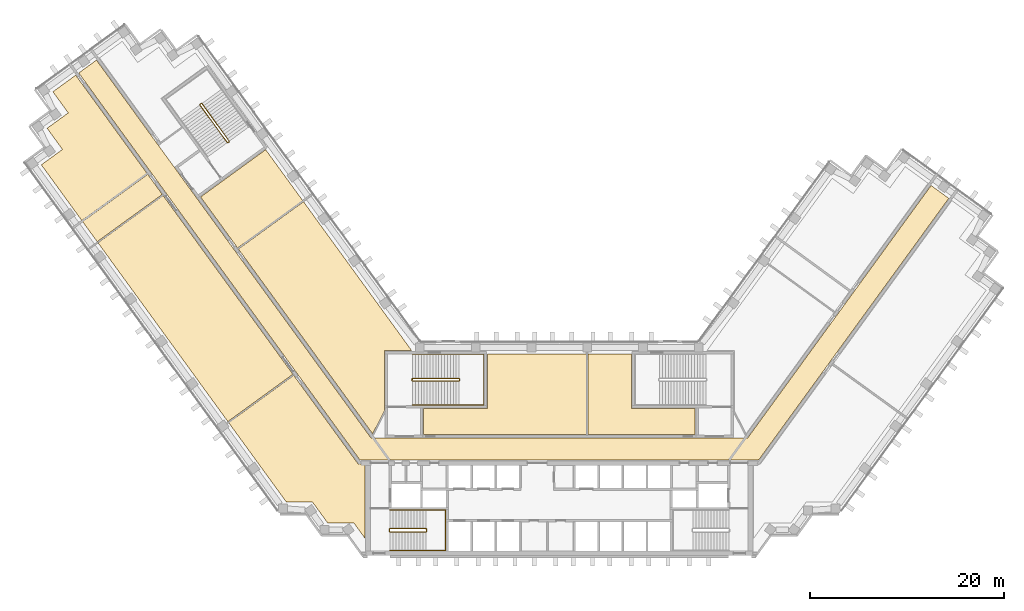
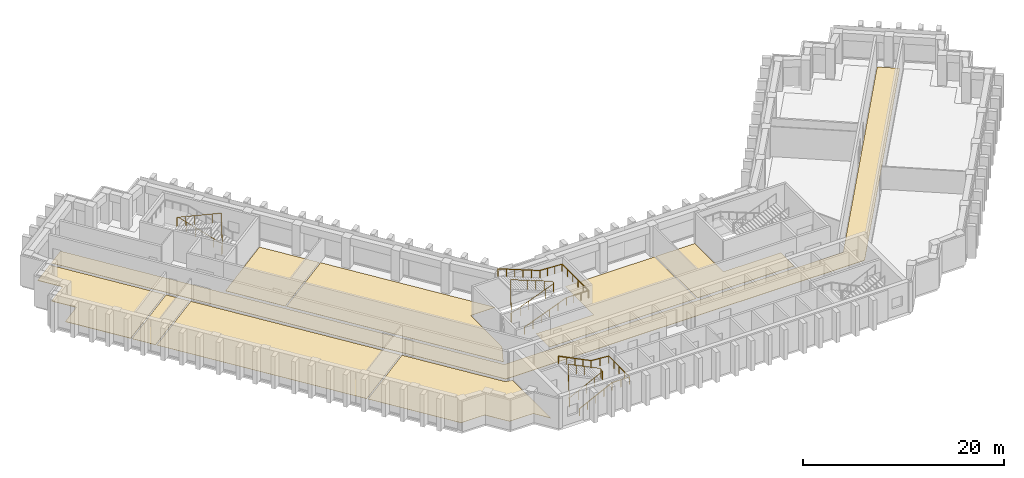
# One storey, part 10 of 11: 9 coverings, 5 railings.
"""IFC4 building model written with IfcOpenShell, lengths in metres."""

from ifc_helpers import new_model, si_unit, direction, frame, origin, origin_2d, place, context, subcontext, project, spatial, polyline, circle, outline, extrude, material, layer, layer_set, type_object, element, save


model = new_model("IFC4")

# Units and contexts
model_context = context("Model", 3, precision=1e-05, world=origin(), true_north=direction((0.0, 1.0)))
body_context = subcontext(model_context, "Body", "Model", "MODEL_VIEW")
ifc_project = project(units=[si_unit("LENGTHUNIT", "METRE"), si_unit("AREAUNIT", "SQUARE_METRE"), si_unit("VOLUMEUNIT", "CUBIC_METRE"), si_unit("PLANEANGLEUNIT", "RADIAN"), si_unit("MASSUNIT", "GRAM", prefix="KILO")], contexts=[model_context])

# Site, building, storey
site_placement = place(None, origin())
site = spatial("IfcSite", under=ifc_project, at=site_placement, CompositionType="ELEMENT")
building_placement = place(site_placement, origin())
building = spatial("IfcBuilding", under=site, at=building_placement, Name="Quipu Civic Tower", CompositionType="ELEMENT")
storey_placement = place(building_placement, frame((0.0, 0.0, 117.0)))
storey = spatial("IfcBuildingStorey", under=building, at=storey_placement, Name="L27", CompositionType="ELEMENT", Elevation=117.0)

# Coverings
ifc_material_1 = material(Name="Carpet tile on raised access floor")
ifc_layer_1 = layer(ifc_material_1, 0.02001953125)
ifc_layer_set_1 = layer_set([ifc_layer_1], Name="Carpet tile on raised access floor")
covering_type_1 = type_object("IfcCoveringType", Name="Carpet tile floor finish 20", PredefinedType="FLOORING", material=ifc_layer_set_1)
covering_1_placement = place(storey_placement, origin())
element("IfcCovering", 1, at=covering_1_placement, inside=storey, type_object=covering_type_1, Name="Carpet tile floor finish 20", PredefinedType="FLOORING", context=body_context, shape_type="SweptSolid", body=[
    extrude(outline(polyline([(-37.0380859375, 26.0380859375), (-30.31494140625, 30.922119140625), (-26.491943359375, 25.658935546875), (-33.215087890625, 20.77490234375), (-37.0380859375, 26.0380859375)])), origin(), (0.0, 0.0, 1.0), 0.02001953125),
])
covering_2_placement = place(storey_placement, origin())
element("IfcCovering", 2, at=covering_2_placement, inside=storey, type_object=covering_type_1, Name="Carpet tile floor finish 20", PredefinedType="FLOORING", context=body_context, shape_type="SweptSolid", body=[
    extrude(outline(polyline([(-34.138916015625, 2.738037109375), (-27.416015625, 7.62109375), (-20.77490234375, -1.51904296875), (-20.070068359375, -1.52001953125), (-20.070068359375, -9.195068359375), (-21.196044921875, -7.64599609375), (-21.6630859375, -7.64599609375), (-21.666015625, -7.64404296875), (-21.669921875, -7.64111328125), (-21.675048828125, -7.639892578125), (-21.679931640625, -7.637939453125), (-21.68408203125, -7.636962890625), (-21.68896484375, -7.636962890625), (-21.694091796875, -7.635986328125), (-21.698974609375, -7.636962890625), (-21.7041015625, -7.637939453125), (-21.708984375, -7.638916015625), (-21.712890625, -7.64111328125), (-21.718017578125, -7.64306640625), (-21.721923828125, -7.64599609375), (-21.721923828125, -7.64599609375), (-23.89501953125, -7.64599609375), (-25.48193359375, -5.4619140625), (-28.181884765625, -5.4609375), (-34.138916015625, 2.738037109375)])), origin(), (0.0, 0.0, 1.0), 0.02001953125),
])
covering_3_placement = place(storey_placement, origin())
element("IfcCovering", 3, at=covering_3_placement, inside=storey, type_object=covering_type_1, Name="Carpet tile floor finish 20", PredefinedType="FLOORING", context=body_context, shape_type="SweptSolid", body=[
    extrude(outline(polyline([(-14.030029296875, 1.52001953125), (-14.030029296875, 4.179931640625), (-7.429931640625, 4.180908203125), (-7.429931640625, 9.830078125), (2.80908203125, 9.830078125), (2.80908203125, 1.52001953125), (-14.030029296875, 1.52001953125)])), origin(), (0.0, 0.0, 1.0), 0.02001953125),
])
covering_4_placement = place(storey_placement, origin())
element("IfcCovering", 4, at=covering_4_placement, inside=storey, type_object=covering_type_1, Name="Carpet tile floor finish 20", PredefinedType="FLOORING", context=body_context, shape_type="SweptSolid", body=[
    extrude(outline(polyline([(-33.132080078125, 20.662109375), (-26.408935546875, 25.5458984375), (-15.238037109375, 10.169921875), (-18.070068359375, 10.1689453125), (-18.070068359375, 3.94189453125), (-19.27197265625, 1.583984375), (-33.132080078125, 20.662109375)])), origin(), (0.0, 0.0, 1.0), 0.02001953125),
])
covering_5_placement = place(storey_placement, origin())
element("IfcCovering", 5, at=covering_5_placement, inside=storey, type_object=covering_type_1, Name="Carpet tile floor finish 20", PredefinedType="FLOORING", context=body_context, shape_type="SweptSolid", body=[
    extrude(outline(polyline([(-47.62890625, 21.304931640625), (-40.905029296875, 26.18798828125), (-27.4990234375, 7.73388671875), (-34.221923828125, 2.85107421875), (-47.62890625, 21.304931640625)])), origin(), (0.0, 0.0, 1.0), 0.02001953125),
])
ifc_material_2 = material(Name="Ceramic floor tile")
ifc_layer_2 = layer(ifc_material_2, 0.030029296875)
ifc_layer_set_2 = layer_set([ifc_layer_2], Name="Ceramic floor tile")
covering_type_2 = type_object("IfcCoveringType", Name="Ceramic tile floor finish 30", PredefinedType="FLOORING", material=ifc_layer_set_2)
covering_6_placement = place(storey_placement, origin())
element("IfcCovering", 6, at=covering_6_placement, inside=storey, type_object=covering_type_2, Name="Ceramic tile floor finish 30", PredefinedType="FLOORING", context=body_context, shape_type="SweptSolid", body=[
    extrude(outline(polyline([(2.948974609375, 1.52001953125), (2.948974609375, 9.830078125), (7.429931640625, 9.830078125), (7.430908203125, 4.179931640625), (14.030029296875, 4.179931640625), (14.030029296875, 1.52001953125), (2.948974609375, 1.52001953125)])), origin(), (0.0, 0.0, 1.0), 0.030029296875),
])
covering_7_placement = place(storey_placement, origin())
element("IfcCovering", 7, at=covering_7_placement, inside=storey, type_object=covering_type_2, Name="Ceramic tile floor finish 30", PredefinedType="FLOORING", context=body_context, shape_type="SweptSolid", body=[
    extrude(outline(polyline([(-49.216064453125, 23.489013671875), (-42.491943359375, 28.373046875), (-40.988037109375, 26.301025390625), (-47.7119140625, 21.41796875), (-49.216064453125, 23.489013671875)])), origin(), (0.0, 0.0, 1.0), 0.030029296875),
])
ifc_material_3 = material(Name="Sealed cement screed")
ifc_layer_3 = layer(ifc_material_3, 0.050048828125)
ifc_layer_set_3 = layer_set([ifc_layer_3], Name="Sealed cement screed")
covering_type_3 = type_object("IfcCoveringType", Name="Sealed screed floor finish 50", PredefinedType="FLOORING", material=ifc_layer_set_3)
covering_8_placement = place(storey_placement, origin())
element("IfcCovering", 8, at=covering_8_placement, inside=storey, type_object=covering_type_3, Name="Sealed screed floor finish 50", PredefinedType="FLOORING", context=body_context, shape_type="SweptSolid", body=[
    extrude(outline(polyline([(-53.47998046875, 29.35791015625), (-51.297119140625, 30.945068359375), (-52.883056640625, 33.12890625), (-50.698974609375, 34.717041015625), (-52.284912109375, 36.90087890625), (-49.930908203125, 38.611083984375), (-42.574951171875, 28.486083984375), (-49.299072265625, 23.60205078125), (-53.47998046875, 29.35791015625)])), origin(), (0.0, 0.0, 1.0), 0.050048828125),
])

# Railings
ifc_material_4 = material(Name="Stainless steel", Category="steel")
railing_type_1 = type_object("IfcRailingType", Name="Stair guard 1100", PredefinedType="GUARDRAIL", material=ifc_material_4)
railing_1_placement = place(storey_placement, frame((-17.5, -8.550048828125, 0.15380859375)))
element("IfcRailing", 9, at=railing_1_placement, inside=storey, type_object=railing_type_1, Name="Stair 1 guard", PredefinedType="GUARDRAIL", context=body_context, shape_type="SweptSolid", body=[
    extrude(circle(Radius=0.02392578125, at=origin_2d()), frame((0.0, 0.0, 1.076171875), z_axis=(0.895751851347, 0.0, 0.444554407028), x_axis=(0.0, 1.0, 0.0)), (0.0, 0.0, 1.0), 4.15283203125),
    extrude(circle(Radius=0.02392578125, at=origin_2d()), frame((3.719970703125, 0.0, 2.92236328125), z_axis=(0.707106781187, 0.707106781187, 0.0), x_axis=(-0.707106781187, 0.707106781187, 0.0)), (0.0, 0.0, 1.0), 0.07080078125),
    extrude(circle(Radius=0.02392578125, at=origin_2d()), frame((3.77001953125, 0.050048828125, 2.92236328125), z_axis=(0.0, 1.0, 0.0), x_axis=(-1.0, 0.0, 0.0)), (0.0, 0.0, 1.0), 0.25),
    extrude(circle(Radius=0.02392578125, at=origin_2d()), frame((3.77001953125, 0.300048828125, 2.92236328125), z_axis=(-0.295599637079, 0.295599637079, 0.908428152975), x_axis=(-0.707106781187, -0.707106781187, 0.0)), (0.0, 0.0, 1.0), 0.16943359375),
    extrude(circle(Radius=0.02392578125, at=origin_2d()), frame((3.719970703125, 0.35009765625, 3.076171875), z_axis=(-0.895751851347, 0.0, 0.444554407028), x_axis=(0.0, -1.0, 0.0)), (0.0, 0.0, 1.0), 4.15283203125),
    extrude(circle(Radius=0.02392578125, at=origin_2d()), frame((0.0, 0.35009765625, 4.92236328125), z_axis=(-0.012476181752, -0.074796231092, -0.997120789425), x_axis=(0.986372223864, -0.164529134168, 0.0)), (0.0, 0.0, 1.0), 4.011474609375),
    extrude(circle(Radius=0.02392578125, at=origin_2d()), frame((-0.050048828125, 0.050048828125, 0.92236328125), z_axis=(0.0, 1.0, 0.0), x_axis=(-1.0, 0.0, 0.0)), (0.0, 0.0, 1.0), 0.25),
    extrude(circle(Radius=0.02099609375, at=origin_2d()), origin(), (0.0, 0.0, 1.0), 1.052001953125),
    extrude(circle(Radius=0.02099609375, at=origin_2d()), frame((0.929931640625, 0.0, 0.46142578125)), (0.0, 0.0, 1.0), 1.052001953125),
    extrude(circle(Radius=0.02099609375, at=origin_2d()), frame((1.85986328125, 0.0, 0.923095703125)), (0.0, 0.0, 1.0), 1.052001953125),
    extrude(circle(Radius=0.02099609375, at=origin_2d()), frame((2.7900390625, 0.0, 1.384765625)), (0.0, 0.0, 1.0), 1.052001953125),
    extrude(circle(Radius=0.02099609375, at=origin_2d()), frame((3.719970703125, 0.0, 1.84619140625)), (0.0, 0.0, 1.0), 1.052001953125),
    extrude(circle(Radius=0.02099609375, at=origin_2d()), frame((3.77001953125, 0.050048828125, 1.84619140625)), (0.0, 0.0, 1.0), 1.052001953125),
    extrude(circle(Radius=0.02099609375, at=origin_2d()), frame((3.77001953125, 0.300048828125, 1.84619140625)), (0.0, 0.0, 1.0), 1.052001953125),
    extrude(circle(Radius=0.02099609375, at=origin_2d()), frame((3.719970703125, 0.35009765625, 2.0)), (0.0, 0.0, 1.0), 1.052001953125),
    extrude(circle(Radius=0.02099609375, at=origin_2d()), frame((2.7900390625, 0.35009765625, 2.46142578125)), (0.0, 0.0, 1.0), 1.052001953125),
    extrude(circle(Radius=0.02099609375, at=origin_2d()), frame((1.85986328125, 0.35009765625, 2.923095703125)), (0.0, 0.0, 1.0), 1.052001953125),
    extrude(circle(Radius=0.02099609375, at=origin_2d()), frame((0.929931640625, 0.35009765625, 3.384765625)), (0.0, 0.0, 1.0), 1.052001953125),
    extrude(circle(Radius=0.02099609375, at=origin_2d()), frame((0.0, 0.35009765625, 3.84619140625)), (0.0, 0.0, 1.0), 1.052001953125),
    extrude(circle(Radius=0.02099609375, at=origin_2d()), frame((-0.012451171875, 0.275146484375, 2.84619140625)), (0.0, 0.0, 1.0), 1.052001953125),
    extrude(circle(Radius=0.02099609375, at=origin_2d()), frame((-0.02490234375, 0.2001953125, 1.84619140625)), (0.0, 0.0, 1.0), 1.052001953125),
    extrude(circle(Radius=0.02099609375, at=origin_2d()), frame((-0.03759765625, 0.125, 0.84619140625)), (0.0, 0.0, 1.0), 1.052001953125),
    extrude(circle(Radius=0.02099609375, at=origin_2d()), frame((-0.050048828125, 0.050048828125, -0.15380859375)), (0.0, 0.0, 1.0), 1.052001953125),
    extrude(circle(Radius=0.02099609375, at=origin_2d()), frame((-0.050048828125, 0.300048828125, -0.15380859375)), (0.0, 0.0, 1.0), 1.052001953125),
])
railing_2_placement = place(storey_placement, frame((-15.14990234375, 7.050048828125, 0.11767578125)))
element("IfcRailing", 10, at=railing_2_placement, inside=storey, type_object=railing_type_1, Name="Stair 3 guard", PredefinedType="GUARDRAIL", context=body_context, shape_type="SweptSolid", body=[
    extrude(circle(Radius=0.02392578125, at=origin_2d()), frame((0.0, 0.0, 1.076171875), z_axis=(0.930970042603, 0.0, 0.365095576219), x_axis=(0.0, 1.0, 0.0)), (0.0, 0.0, 1.0), 5.15576171875),
    extrude(circle(Radius=0.02392578125, at=origin_2d()), frame((4.7998046875, 0.0, 2.95849609375), z_axis=(0.707106781187, 0.707106781187, 0.0), x_axis=(-0.707106781187, 0.707106781187, 0.0)), (0.0, 0.0, 1.0), 0.07080078125),
    extrude(circle(Radius=0.02392578125, at=origin_2d()), frame((4.849853515625, 0.050048828125, 2.95849609375), z_axis=(0.0, 1.0, 0.0), x_axis=(-1.0, 0.0, 0.0)), (0.0, 0.0, 1.0), 0.14990234375),
    extrude(circle(Radius=0.02392578125, at=origin_2d()), frame((4.849853515625, 0.199951171875, 2.95849609375), z_axis=(-0.364463019033, 0.364463019033, 0.856932561824), x_axis=(-0.707106781187, -0.707106781187, 0.0)), (0.0, 0.0, 1.0), 0.13720703125),
    extrude(circle(Radius=0.02392578125, at=origin_2d()), frame((4.7998046875, 0.25, 3.076171875), z_axis=(-0.930970042603, 0.0, 0.365095576219), x_axis=(0.0, -1.0, 0.0)), (0.0, 0.0, 1.0), 5.15576171875),
    extrude(circle(Radius=0.02392578125, at=origin_2d()), frame((0.0, 0.25, 4.95849609375), z_axis=(-0.012495627992, -0.049921557685, -0.998674970829), x_axis=(0.970072785993, -0.242814311512, 0.0)), (0.0, 0.0, 1.0), 4.00537109375),
    extrude(circle(Radius=0.02392578125, at=origin_2d()), frame((-0.050048828125, 0.050048828125, 0.95849609375), z_axis=(0.0, 1.0, 0.0), x_axis=(-1.0, 0.0, 0.0)), (0.0, 0.0, 1.0), 0.14990234375),
    extrude(circle(Radius=0.02099609375, at=origin_2d()), origin(), (0.0, 0.0, 1.0), 1.052001953125),
    extrude(circle(Radius=0.02099609375, at=origin_2d()), frame((0.9599609375, 0.0, 0.37646484375)), (0.0, 0.0, 1.0), 1.052001953125),
    extrude(circle(Radius=0.02099609375, at=origin_2d()), frame((1.919921875, 0.0, 0.7529296875)), (0.0, 0.0, 1.0), 1.052001953125),
    extrude(circle(Radius=0.02099609375, at=origin_2d()), frame((2.8798828125, 0.0, 1.12939453125)), (0.0, 0.0, 1.0), 1.052001953125),
    extrude(circle(Radius=0.02099609375, at=origin_2d()), frame((3.83984375, 0.0, 1.505859375)), (0.0, 0.0, 1.0), 1.052001953125),
    extrude(circle(Radius=0.02099609375, at=origin_2d()), frame((4.7998046875, 0.0, 1.88232421875)), (0.0, 0.0, 1.0), 1.052001953125),
    extrude(circle(Radius=0.02099609375, at=origin_2d()), frame((4.849853515625, 0.050048828125, 1.88232421875)), (0.0, 0.0, 1.0), 1.052001953125),
    extrude(circle(Radius=0.02099609375, at=origin_2d()), frame((4.849853515625, 0.199951171875, 1.88232421875)), (0.0, 0.0, 1.0), 1.052001953125),
    extrude(circle(Radius=0.02099609375, at=origin_2d()), frame((4.7998046875, 0.25, 2.0)), (0.0, 0.0, 1.0), 1.052001953125),
    extrude(circle(Radius=0.02099609375, at=origin_2d()), frame((3.83984375, 0.25, 2.37646484375)), (0.0, 0.0, 1.0), 1.052001953125),
    extrude(circle(Radius=0.02099609375, at=origin_2d()), frame((2.8798828125, 0.25, 2.7529296875)), (0.0, 0.0, 1.0), 1.052001953125),
    extrude(circle(Radius=0.02099609375, at=origin_2d()), frame((1.919921875, 0.25, 3.12939453125)), (0.0, 0.0, 1.0), 1.052001953125),
    extrude(circle(Radius=0.02099609375, at=origin_2d()), frame((0.9599609375, 0.25, 3.505859375)), (0.0, 0.0, 1.0), 1.052001953125),
    extrude(circle(Radius=0.02099609375, at=origin_2d()), frame((0.0, 0.25, 3.88232421875)), (0.0, 0.0, 1.0), 1.052001953125),
    extrude(circle(Radius=0.02099609375, at=origin_2d()), frame((-0.012451171875, 0.199951171875, 2.88232421875)), (0.0, 0.0, 1.0), 1.052001953125),
    extrude(circle(Radius=0.02099609375, at=origin_2d()), frame((-0.02490234375, 0.14990234375, 1.88232421875)), (0.0, 0.0, 1.0), 1.052001953125),
    extrude(circle(Radius=0.02099609375, at=origin_2d()), frame((-0.03759765625, 0.10009765625, 0.88232421875)), (0.0, 0.0, 1.0), 1.052001953125),
    extrude(circle(Radius=0.02099609375, at=origin_2d()), frame((-0.050048828125, 0.050048828125, -0.11767578125)), (0.0, 0.0, 1.0), 1.052001953125),
    extrude(circle(Radius=0.02099609375, at=origin_2d()), frame((-0.050048828125, 0.199951171875, -0.11767578125)), (0.0, 0.0, 1.0), 1.052001953125),
])
railing_3_placement = place(storey_placement, frame((-34.078857421875, 31.79736328125, 0.11767578125)))
element("IfcRailing", 11, at=railing_3_placement, inside=storey, type_object=railing_type_1, Name="Stair 6 guard", PredefinedType="GUARDRAIL", context=body_context, shape_type="SweptSolid", body=[
    extrude(circle(Radius=0.02392578125, at=origin_2d()), frame((0.0, 0.0, 1.076171875), z_axis=(-0.54720100349, 0.753182689643, 0.365084781664), x_axis=(-0.809026317077, -0.587772420479, 0.0)), (0.0, 0.0, 1.0), 5.15576171875),
    extrude(circle(Radius=0.02392578125, at=origin_2d()), frame((-2.8212890625, 3.88330078125, 2.95849609375), z_axis=(-0.987846838465, 0.155430446612, 0.0), x_axis=(-0.155430446612, -0.987846838465, 0.0)), (0.0, 0.0, 1.0), 0.07080078125),
    extrude(circle(Radius=0.02392578125, at=origin_2d()), frame((-2.89111328125, 3.894287109375, 2.95849609375), z_axis=(-0.809649071907, -0.586914287065, 0.0), x_axis=(0.586914287065, -0.809649071907, 0.0)), (0.0, 0.0, 1.0), 0.150146484375),
    extrude(circle(Radius=0.02392578125, at=origin_2d()), frame((-3.0126953125, 3.80615234375, 2.95849609375), z_axis=(-0.080033047627, -0.508654480474, 0.857242865693), x_axis=(0.987846838465, -0.155430446612, 0.0)), (0.0, 0.0, 1.0), 0.13720703125),
    extrude(circle(Radius=0.02392578125, at=origin_2d()), frame((-3.023681640625, 3.736328125, 3.076171875), z_axis=(0.54720100349, -0.753182689643, 0.365084781664), x_axis=(0.809026317077, 0.587772420479, 0.0)), (0.0, 0.0, 1.0), 5.15576171875),
    extrude(circle(Radius=0.02392578125, at=origin_2d()), frame((-0.202392578125, -0.14697265625, 4.95849609375), z_axis=(0.047788004556, 0.019261491632, -0.998671768681), x_axis=(-0.373837031195, 0.92749440651, 0.0)), (0.0, 0.0, 1.0), 4.00537109375),
    extrude(circle(Radius=0.02392578125, at=origin_2d()), frame((-0.010986328125, -0.06982421875, 0.95849609375), z_axis=(-0.809087927272, -0.587687609145, 0.0), x_axis=(0.587687609145, -0.809087927272, 0.0)), (0.0, 0.0, 1.0), 0.14990234375),
    extrude(circle(Radius=0.02099609375, at=origin_2d()), origin(), (0.0, 0.0, 1.0), 1.052001953125),
    extrude(circle(Radius=0.02099609375, at=origin_2d()), frame((-0.564208984375, 0.776611328125, 0.37646484375)), (0.0, 0.0, 1.0), 1.052001953125),
    extrude(circle(Radius=0.02099609375, at=origin_2d()), frame((-1.12841796875, 1.55322265625, 0.7529296875)), (0.0, 0.0, 1.0), 1.052001953125),
    extrude(circle(Radius=0.02099609375, at=origin_2d()), frame((-1.69287109375, 2.330078125, 1.12939453125)), (0.0, 0.0, 1.0), 1.052001953125),
    extrude(circle(Radius=0.02099609375, at=origin_2d()), frame((-2.257080078125, 3.106689453125, 1.505859375)), (0.0, 0.0, 1.0), 1.052001953125),
    extrude(circle(Radius=0.02099609375, at=origin_2d()), frame((-2.8212890625, 3.88330078125, 1.88232421875)), (0.0, 0.0, 1.0), 1.052001953125),
    extrude(circle(Radius=0.02099609375, at=origin_2d()), frame((-2.89111328125, 3.894287109375, 1.88232421875)), (0.0, 0.0, 1.0), 1.052001953125),
    extrude(circle(Radius=0.02099609375, at=origin_2d()), frame((-3.0126953125, 3.80615234375, 1.88232421875)), (0.0, 0.0, 1.0), 1.052001953125),
    extrude(circle(Radius=0.02099609375, at=origin_2d()), frame((-3.023681640625, 3.736328125, 2.0)), (0.0, 0.0, 1.0), 1.052001953125),
    extrude(circle(Radius=0.02099609375, at=origin_2d()), frame((-2.45947265625, 2.959716796875, 2.37646484375)), (0.0, 0.0, 1.0), 1.052001953125),
    extrude(circle(Radius=0.02099609375, at=origin_2d()), frame((-1.895263671875, 2.18310546875, 2.7529296875)), (0.0, 0.0, 1.0), 1.052001953125),
    extrude(circle(Radius=0.02099609375, at=origin_2d()), frame((-1.330810546875, 1.40625, 3.12939453125)), (0.0, 0.0, 1.0), 1.052001953125),
    extrude(circle(Radius=0.02099609375, at=origin_2d()), frame((-0.7666015625, 0.629638671875, 3.505859375)), (0.0, 0.0, 1.0), 1.052001953125),
    extrude(circle(Radius=0.02099609375, at=origin_2d()), frame((-0.202392578125, -0.14697265625, 3.88232421875)), (0.0, 0.0, 1.0), 1.052001953125),
    extrude(circle(Radius=0.02099609375, at=origin_2d()), frame((-0.154541015625, -0.127685546875, 2.88232421875)), (0.0, 0.0, 1.0), 1.052001953125),
    extrude(circle(Radius=0.02099609375, at=origin_2d()), frame((-0.106689453125, -0.1083984375, 1.88232421875)), (0.0, 0.0, 1.0), 1.052001953125),
    extrude(circle(Radius=0.02099609375, at=origin_2d()), frame((-0.058837890625, -0.089111328125, 0.88232421875)), (0.0, 0.0, 1.0), 1.052001953125),
    extrude(circle(Radius=0.02099609375, at=origin_2d()), frame((-0.010986328125, -0.06982421875, -0.11767578125)), (0.0, 0.0, 1.0), 1.052001953125),
    extrude(circle(Radius=0.02099609375, at=origin_2d()), frame((-0.13232421875, -0.157958984375, -0.11767578125)), (0.0, 0.0, 1.0), 1.052001953125),
])
ifc_material_5 = material(Name="Stainless steel", Category="steel")
railing_type_2 = type_object("IfcRailingType", Name="Stair handrail", PredefinedType="HANDRAIL", material=ifc_material_5)
railing_4_placement = place(storey_placement, frame((-17.5, -10.449951171875, 0.15380859375)))
element("IfcRailing", 12, at=railing_4_placement, inside=storey, type_object=railing_type_2, Name="Stair 1 handrail", PredefinedType="HANDRAIL", context=body_context, shape_type="SweptSolid", body=[
    extrude(circle(Radius=0.02392578125, at=origin_2d()), frame((0.0, 0.0, 0.8759765625), z_axis=(0.895751851347, 0.0, 0.444554407028), x_axis=(0.0, 1.0, 0.0)), (0.0, 0.0, 1.0), 4.15283203125),
    extrude(circle(Radius=0.02392578125, at=origin_2d()), frame((3.719970703125, 0.0, 2.72216796875), z_axis=(1.0, 0.0, 0.0), x_axis=(0.0, 1.0, 0.0)), (0.0, 0.0, 1.0), 2.030029296875),
    extrude(circle(Radius=0.02392578125, at=origin_2d()), frame((5.75, 0.0, 2.72216796875), z_axis=(0.0, 1.0, 0.0), x_axis=(-1.0, 0.0, 0.0)), (0.0, 0.0, 1.0), 4.14990234375),
    extrude(circle(Radius=0.02392578125, at=origin_2d()), frame((5.75, 4.14990234375, 2.72216796875), z_axis=(-0.997142003663, 0.0, 0.075550145798), x_axis=(0.0, -1.0, 0.0)), (0.0, 0.0, 1.0), 2.035888671875),
    extrude(circle(Radius=0.02392578125, at=origin_2d()), frame((3.719970703125, 4.14990234375, 2.8759765625), z_axis=(-0.895751851347, 0.0, 0.444554407028), x_axis=(0.0, -1.0, 0.0)), (0.0, 0.0, 1.0), 4.15283203125),
    extrude(circle(Radius=0.02099609375, at=origin_2d()), origin(), (0.0, 0.0, 1.0), 0.851806640625),
    extrude(circle(Radius=0.02099609375, at=origin_2d()), frame((0.929931640625, 0.0, 0.46142578125)), (0.0, 0.0, 1.0), 0.851806640625),
    extrude(circle(Radius=0.02099609375, at=origin_2d()), frame((1.85986328125, 0.0, 0.923095703125)), (0.0, 0.0, 1.0), 0.851806640625),
    extrude(circle(Radius=0.02099609375, at=origin_2d()), frame((2.7900390625, 0.0, 1.384765625)), (0.0, 0.0, 1.0), 0.851806640625),
    extrude(circle(Radius=0.02099609375, at=origin_2d()), frame((3.719970703125, 0.0, 1.84619140625)), (0.0, 0.0, 1.0), 0.851806640625),
    extrude(circle(Radius=0.02099609375, at=origin_2d()), frame((4.73486328125, 0.0, 1.84619140625)), (0.0, 0.0, 1.0), 0.851806640625),
    extrude(circle(Radius=0.02099609375, at=origin_2d()), frame((5.75, 0.0, 1.84619140625)), (0.0, 0.0, 1.0), 0.851806640625),
    extrude(circle(Radius=0.02099609375, at=origin_2d()), frame((5.75, 1.03759765625, 1.84619140625)), (0.0, 0.0, 1.0), 0.851806640625),
    extrude(circle(Radius=0.02099609375, at=origin_2d()), frame((5.75, 2.074951171875, 1.84619140625)), (0.0, 0.0, 1.0), 0.851806640625),
    extrude(circle(Radius=0.02099609375, at=origin_2d()), frame((5.75, 3.1123046875, 1.84619140625)), (0.0, 0.0, 1.0), 0.851806640625),
    extrude(circle(Radius=0.02099609375, at=origin_2d()), frame((5.75, 4.14990234375, 1.84619140625)), (0.0, 0.0, 1.0), 0.851806640625),
    extrude(circle(Radius=0.02099609375, at=origin_2d()), frame((4.73486328125, 4.14990234375, 1.923095703125)), (0.0, 0.0, 1.0), 0.851806640625),
    extrude(circle(Radius=0.02099609375, at=origin_2d()), frame((3.719970703125, 4.14990234375, 2.0)), (0.0, 0.0, 1.0), 0.851806640625),
    extrude(circle(Radius=0.02099609375, at=origin_2d()), frame((2.7900390625, 4.14990234375, 2.46142578125)), (0.0, 0.0, 1.0), 0.851806640625),
    extrude(circle(Radius=0.02099609375, at=origin_2d()), frame((1.85986328125, 4.14990234375, 2.923095703125)), (0.0, 0.0, 1.0), 0.851806640625),
    extrude(circle(Radius=0.02099609375, at=origin_2d()), frame((0.929931640625, 4.14990234375, 3.384765625)), (0.0, 0.0, 1.0), 0.851806640625),
    extrude(circle(Radius=0.02099609375, at=origin_2d()), frame((0.0, 4.14990234375, 3.84619140625)), (0.0, 0.0, 1.0), 0.851806640625),
])
railing_5_placement = place(storey_placement, frame((-15.14990234375, 4.550048828125, 0.11767578125)))
element("IfcRailing", 13, at=railing_5_placement, inside=storey, type_object=railing_type_2, Name="Stair 3 handrail", PredefinedType="HANDRAIL", context=body_context, shape_type="SweptSolid", body=[
    extrude(circle(Radius=0.02392578125, at=origin_2d()), frame((0.0, 0.0, 0.8759765625), z_axis=(0.930970042603, 0.0, 0.365095576219), x_axis=(0.0, 1.0, 0.0)), (0.0, 0.0, 1.0), 5.15576171875),
    extrude(circle(Radius=0.02392578125, at=origin_2d()), frame((4.7998046875, 0.0, 2.75830078125), z_axis=(1.0, 0.0, 0.0), x_axis=(0.0, 1.0, 0.0)), (0.0, 0.0, 1.0), 2.550048828125),
    extrude(circle(Radius=0.02392578125, at=origin_2d()), frame((7.349853515625, 0.0, 2.75830078125), z_axis=(0.0, 1.0, 0.0), x_axis=(-1.0, 0.0, 0.0)), (0.0, 0.0, 1.0), 5.25),
    extrude(circle(Radius=0.02392578125, at=origin_2d()), frame((7.349853515625, 5.25, 2.75830078125), z_axis=(-0.998936948642, 0.0, 0.04609742549), x_axis=(0.0, -1.0, 0.0)), (0.0, 0.0, 1.0), 2.552734375),
    extrude(circle(Radius=0.02392578125, at=origin_2d()), frame((4.7998046875, 5.25, 2.8759765625), z_axis=(-0.930970042603, 0.0, 0.365095576219), x_axis=(0.0, -1.0, 0.0)), (0.0, 0.0, 1.0), 5.15576171875),
    extrude(circle(Radius=0.02099609375, at=origin_2d()), origin(), (0.0, 0.0, 1.0), 0.851806640625),
    extrude(circle(Radius=0.02099609375, at=origin_2d()), frame((0.9599609375, 0.0, 0.37646484375)), (0.0, 0.0, 1.0), 0.851806640625),
    extrude(circle(Radius=0.02099609375, at=origin_2d()), frame((1.919921875, 0.0, 0.7529296875)), (0.0, 0.0, 1.0), 0.851806640625),
    extrude(circle(Radius=0.02099609375, at=origin_2d()), frame((2.8798828125, 0.0, 1.12939453125)), (0.0, 0.0, 1.0), 0.851806640625),
    extrude(circle(Radius=0.02099609375, at=origin_2d()), frame((3.83984375, 0.0, 1.505859375)), (0.0, 0.0, 1.0), 0.851806640625),
    extrude(circle(Radius=0.02099609375, at=origin_2d()), frame((4.7998046875, 0.0, 1.88232421875)), (0.0, 0.0, 1.0), 0.851806640625),
    extrude(circle(Radius=0.02099609375, at=origin_2d()), frame((5.64990234375, 0.0, 1.88232421875)), (0.0, 0.0, 1.0), 0.851806640625),
    extrude(circle(Radius=0.02099609375, at=origin_2d()), frame((6.499755859375, 0.0, 1.88232421875)), (0.0, 0.0, 1.0), 0.851806640625),
    extrude(circle(Radius=0.02099609375, at=origin_2d()), frame((7.349853515625, 0.0, 1.88232421875)), (0.0, 0.0, 1.0), 0.851806640625),
    extrude(circle(Radius=0.02099609375, at=origin_2d()), frame((7.349853515625, 1.050048828125, 1.88232421875)), (0.0, 0.0, 1.0), 0.851806640625),
    extrude(circle(Radius=0.02099609375, at=origin_2d()), frame((7.349853515625, 2.10009765625, 1.88232421875)), (0.0, 0.0, 1.0), 0.851806640625),
    extrude(circle(Radius=0.02099609375, at=origin_2d()), frame((7.349853515625, 3.14990234375, 1.88232421875)), (0.0, 0.0, 1.0), 0.851806640625),
    extrude(circle(Radius=0.02099609375, at=origin_2d()), frame((7.349853515625, 4.199951171875, 1.88232421875)), (0.0, 0.0, 1.0), 0.851806640625),
    extrude(circle(Radius=0.02099609375, at=origin_2d()), frame((7.349853515625, 5.25, 1.88232421875)), (0.0, 0.0, 1.0), 0.851806640625),
    extrude(circle(Radius=0.02099609375, at=origin_2d()), frame((6.499755859375, 5.25, 1.921630859375)), (0.0, 0.0, 1.0), 0.851806640625),
    extrude(circle(Radius=0.02099609375, at=origin_2d()), frame((5.64990234375, 5.25, 1.960693359375)), (0.0, 0.0, 1.0), 0.851806640625),
    extrude(circle(Radius=0.02099609375, at=origin_2d()), frame((4.7998046875, 5.25, 2.0)), (0.0, 0.0, 1.0), 0.851806640625),
    extrude(circle(Radius=0.02099609375, at=origin_2d()), frame((3.83984375, 5.25, 2.37646484375)), (0.0, 0.0, 1.0), 0.851806640625),
    extrude(circle(Radius=0.02099609375, at=origin_2d()), frame((2.8798828125, 5.25, 2.7529296875)), (0.0, 0.0, 1.0), 0.851806640625),
    extrude(circle(Radius=0.02099609375, at=origin_2d()), frame((1.919921875, 5.25, 3.12939453125)), (0.0, 0.0, 1.0), 0.851806640625),
    extrude(circle(Radius=0.02099609375, at=origin_2d()), frame((0.9599609375, 5.25, 3.505859375)), (0.0, 0.0, 1.0), 0.851806640625),
    extrude(circle(Radius=0.02099609375, at=origin_2d()), frame((0.0, 5.25, 3.88232421875)), (0.0, 0.0, 1.0), 0.851806640625),
])

# Covering
ifc_material_6 = material(Name="Terrazzo floor finish")
ifc_layer_4 = layer(ifc_material_6, 0.0400390625)
ifc_layer_set_4 = layer_set([ifc_layer_4], Name="Terrazzo floor finish")
covering_type_4 = type_object("IfcCoveringType", Name="Terrazzo floor finish 40", PredefinedType="FLOORING", material=ifc_layer_set_4)
covering_9_placement = place(storey_placement, origin())
element("IfcCovering", 14, at=covering_9_placement, inside=storey, type_object=covering_type_4, Name="Terrazzo floor finish 40", PredefinedType="FLOORING", context=body_context, shape_type="SweptSolid", body=[
    extrude(outline(polyline([(38.382080078125, 27.22412109375), (40.2109375, 25.89599609375), (20.574951171875, -1.1298828125), (-20.574951171875, -1.1298828125), (-49.615966796875, 38.840087890625), (-47.787109375, 40.16796875), (-19.425048828125, 1.1298828125), (19.425048828125, 1.1298828125), (38.382080078125, 27.22412109375)])), origin(), (0.0, 0.0, 1.0), 0.0400390625),
])

save(model, "model.ifc")
